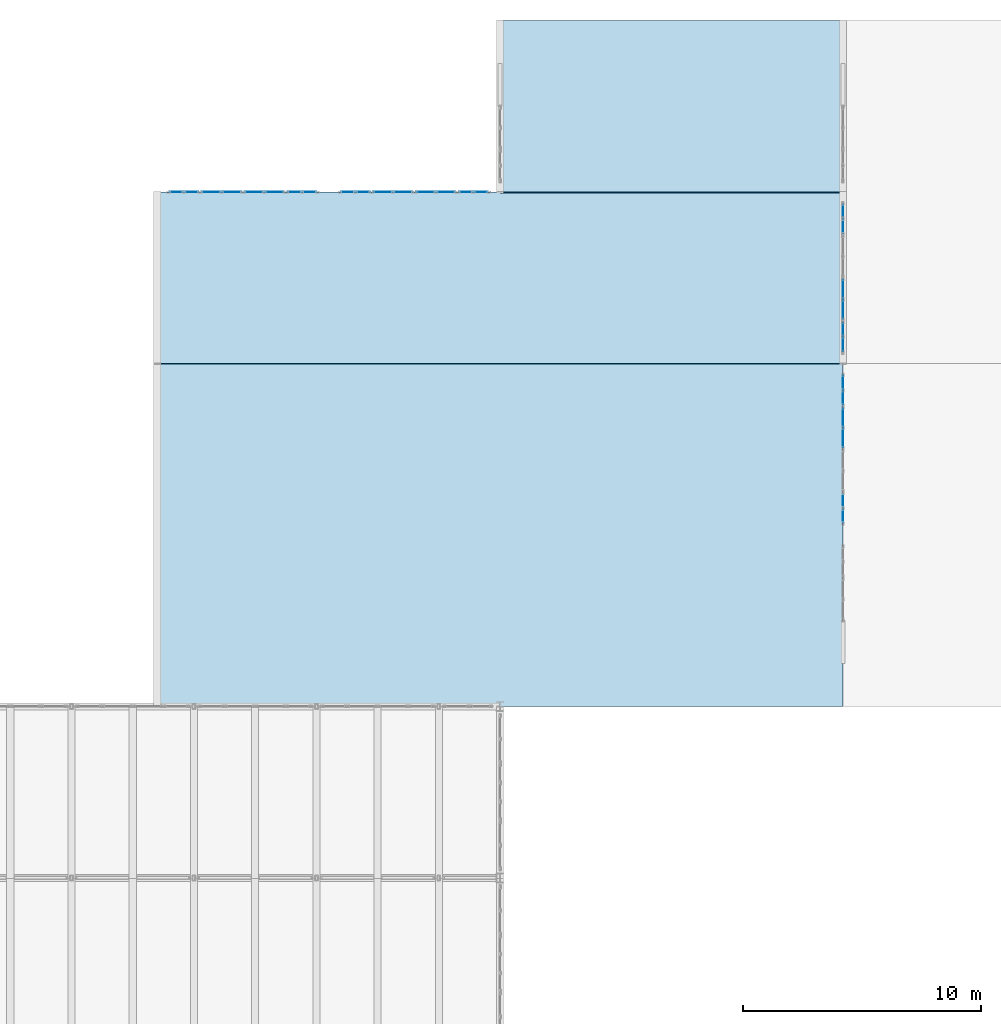
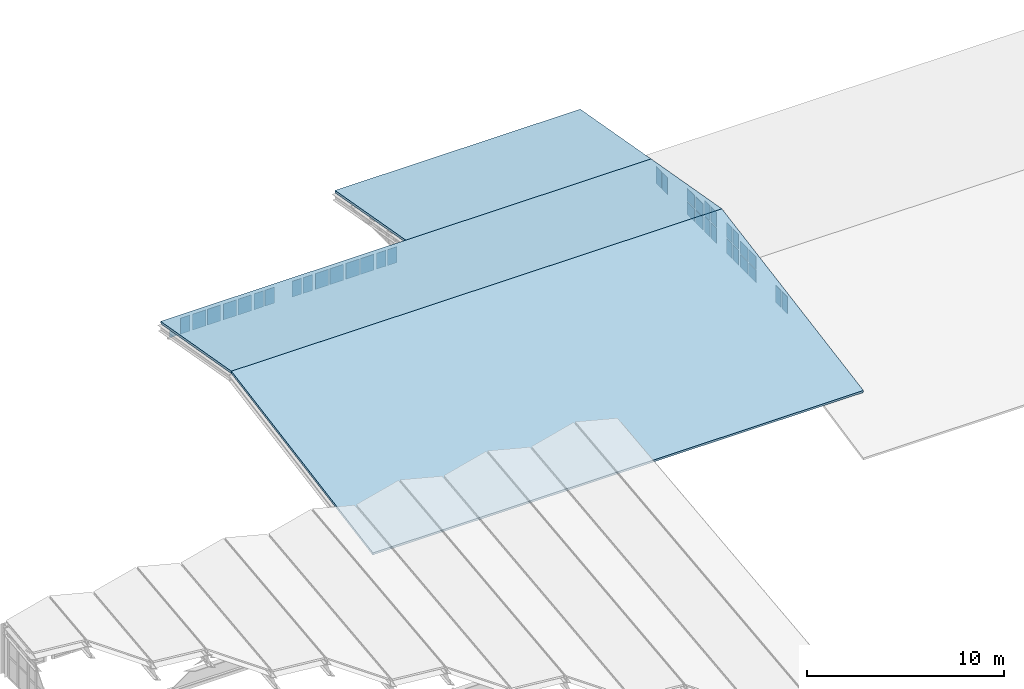
# One storey, part 30 of 39: 36 plates, 3 slabs, 15 elements without a shape of their own.
"""IFC4 building model written with IfcOpenShell, lengths in metres."""

import ifcopenshell
import ifcopenshell.guid

model = None  # the IFC model being written
_history = None  # IfcOwnerHistory: only IFC2X3 demands one
_inside = {}  # id of a spatial element -> (the spatial element, [elements in it])
_under = {}  # id of a project, library or spatial element -> (it, [spatial elements below it])
_declared = {}  # id of a project -> (the project, [libraries it declares])
_typed = {}  # id of a type object -> (the type object, [elements of that type])
_made_of = {}  # id of a material, layer set ... -> (it, [elements and type objects made of it])


def new_model(schema):
    """Start an empty IFC model of exactly this schema.

    Asked for "IFC4X3", IfcOpenShell would pick the latest addendum, in which some entities
    have other attributes; the version numbers below select the first issue.
    IFC2X3 requires an IfcOwnerHistory on every rooted entity: one is made here for all.
    """
    global model, _history
    if schema == "IFC4X3":
        model = ifcopenshell.file(schema_version=(4, 3, 0, 0))
    else:
        model = ifcopenshell.file(schema=schema)
    _inside.clear()
    _under.clear()
    _declared.clear()
    _typed.clear()
    _made_of.clear()
    _history = None
    if model.schema == "IFC2X3":
        org = make("IfcOrganization", Name="unknown")
        user = make(
            "IfcPersonAndOrganization",
            ThePerson=make("IfcPerson", FamilyName="unknown"),
            TheOrganization=org,
        )
        app = make(
            "IfcApplication",
            ApplicationDeveloper=org,
            Version="unknown",
            ApplicationFullName="unknown",
            ApplicationIdentifier="unknown",
        )
        _history = make(
            "IfcOwnerHistory",
            OwningUser=user,
            OwningApplication=app,
            ChangeAction="ADDED",
            CreationDate=0,
        )
    return model


def make(cls, **values):
    """One entity of the class cls with the attributes given. An attribute that is None is left unset."""
    return model.create_entity(
        cls, **{name: value for name, value in values.items() if value is not None}
    )


def rooted(cls, **values):
    """An entity with a GlobalId (a new one), such as an element, a storey or a relation."""
    return make(cls, GlobalId=ifcopenshell.guid.new(), OwnerHistory=_history, **values)


def si_unit(unit_type, name, prefix=None):
    """IfcSIUnit, for example si_unit("LENGTHUNIT", "METRE", prefix="MILLI")."""
    return make("IfcSIUnit", UnitType=unit_type, Prefix=prefix, Name=name)


def assignment(units):
    """IfcUnitAssignment: the units of a project."""
    return None if units is None else make("IfcUnitAssignment", Units=units)


def point(xyz):
    """IfcCartesianPoint."""
    return None if xyz is None else make("IfcCartesianPoint", Coordinates=xyz)


def direction(xyz):
    """IfcDirection."""
    return None if xyz is None else make("IfcDirection", DirectionRatios=xyz)


def frame(location, z_axis=None, x_axis=None):
    """IfcAxis2Placement3D, a coordinate frame: its origin and axes. An axis left out is left unset."""
    return make(
        "IfcAxis2Placement3D",
        Location=point(location),
        Axis=direction(z_axis),
        RefDirection=direction(x_axis),
    )


def frame_2d(location, x_axis=None):
    """IfcAxis2Placement2D, a coordinate frame in the plane: its origin and x axis."""
    return make(
        "IfcAxis2Placement2D", Location=point(location), RefDirection=direction(x_axis)
    )


def origin():
    """The frame at (0, 0, 0) with its axes left unset."""
    return frame((0.0, 0.0, 0.0))


def origin_2d():
    """The frame at (0, 0) in the plane with its x axis left unset."""
    return frame_2d((0.0, 0.0))


def place(relative_to, where):
    """IfcLocalPlacement: puts the frame where relative to a parent placement (None: the world)."""
    return make(
        "IfcLocalPlacement", PlacementRelTo=relative_to, RelativePlacement=where
    )


def context(
    kind, dimensions, precision=None, world=None, true_north=None, identifier=None
):
    """IfcGeometricRepresentationContext, for example the 3D "Model" context."""
    return make(
        "IfcGeometricRepresentationContext",
        ContextIdentifier=identifier,
        ContextType=kind,
        CoordinateSpaceDimension=dimensions,
        Precision=precision,
        WorldCoordinateSystem=world,
        TrueNorth=true_north,
    )


def subcontext(parent, identifier, kind, view, scale=None):
    """IfcGeometricRepresentationSubContext, for example "Body" below "Model"."""
    return make(
        "IfcGeometricRepresentationSubContext",
        ContextIdentifier=identifier,
        ContextType=kind,
        ParentContext=parent,
        TargetScale=scale,
        TargetView=view,
    )


def project(units=None, contexts=None):
    """IfcProject with its units and contexts."""
    return rooted(
        "IfcProject",
        Name="project",
        RepresentationContexts=contexts,
        UnitsInContext=assignment(units),
    )


def spatial(cls, under=None, at=None, **own):
    """A site, building, storey or space (cls), placed at a placement, below another one or the project."""
    s = rooted(cls, ObjectPlacement=at, **own)
    if under is not None:
        _under.setdefault(under.id(), (under, []))[1].append(s)
    return s


def polyline(points):
    """IfcPolyline through the points."""
    return make("IfcPolyline", Points=[point(p) for p in points])


def profile(cls, at=None, kind="AREA", **sizes):
    """A parametric profile (cls). Its sizes go by their IFC names, for example OverallWidth=200.0."""
    return make(cls, ProfileType=kind, Position=at, **sizes)


def rectangle(**sizes):
    """IfcRectangleProfileDef."""
    return profile("IfcRectangleProfileDef", **sizes)


def outline(outer, holes=None, kind="AREA"):
    """IfcArbitraryClosedProfileDef: a profile drawn as a closed curve; with holes, ...WithVoids."""
    if holes is None:
        return make("IfcArbitraryClosedProfileDef", ProfileType=kind, OuterCurve=outer)
    return make(
        "IfcArbitraryProfileDefWithVoids",
        ProfileType=kind,
        OuterCurve=outer,
        InnerCurves=holes,
    )


def extrude(swept, where, along, depth):
    """IfcExtrudedAreaSolid: the profile swept, set in the frame where, extruded along a direction by depth."""
    return make(
        "IfcExtrudedAreaSolid",
        SweptArea=swept,
        Position=where,
        ExtrudedDirection=direction(along),
        Depth=depth,
    )


def shape(context_of_items, identifier, shape_type, items):
    """IfcShapeRepresentation: the items that make up one representation, for example the "Body"."""
    return make(
        "IfcShapeRepresentation",
        ContextOfItems=context_of_items,
        RepresentationIdentifier=identifier,
        RepresentationType=shape_type,
        Items=items,
    )


def material(Name=None, Category=None):
    """IfcMaterial."""
    return make("IfcMaterial", Name=Name, Category=Category)


def layer(
    of_material, thickness, ventilated=None, Name=None, Category=None, Priority=None
):
    """IfcMaterialLayer: one layer of a wall or slab, of a material (None: an air gap)."""
    return make(
        "IfcMaterialLayer",
        Material=of_material,
        LayerThickness=thickness,
        IsVentilated=ventilated,
        Name=Name,
        Category=Category,
        Priority=Priority,
    )


def layer_set(layers, Name=None):
    """IfcMaterialLayerSet."""
    return make("IfcMaterialLayerSet", MaterialLayers=layers, LayerSetName=Name)


def made_of(thing, what):
    """Note that an element or type object is made of a material, layer set ...; save() writes the relation."""
    if what is not None:
        _made_of.setdefault(what.id(), (what, []))[1].append(thing)
    return thing


def type_object(cls, material=None, **own):
    """A type object (cls), such as IfcWallType, which elements share."""
    return made_of(rooted(cls, **own), material)


def element(
    cls,
    number,
    at=None,
    inside=None,
    cuts=None,
    type_object=None,
    material=None,
    context=None,
    identifier="Body",
    shape_type=None,
    held_by="IfcProductDefinitionShape",
    body=None,
    shapes=None,
    **own,
):
    """One element of the class cls, such as IfcWall. Its Tag is "e" and its number.

    at: its placement. inside: the storey or other place that contains it. cuts: it is an
    opening in that element (IfcRelVoidsElement). A single representation is given by context,
    identifier, shape_type and body (its items); several are given by shapes. held_by: the class
    of the entity that holds the representations. save() writes the other relations.
    """
    e = rooted(cls, Tag="e%d" % number, ObjectPlacement=at, **own)
    if body is not None:
        shapes = [shape(context, identifier, shape_type, body)]
    if shapes is not None:
        e.Representation = make(held_by, Representations=shapes)
    if inside is not None:
        _inside.setdefault(inside.id(), (inside, []))[1].append(e)
    if cuts is not None:
        rooted(
            "IfcRelVoidsElement", RelatingBuildingElement=cuts, RelatedOpeningElement=e
        )
    if type_object is not None:
        _typed.setdefault(type_object.id(), (type_object, []))[1].append(e)
    return made_of(e, material)


def aggregate(whole, parts):
    """IfcRelAggregates: a whole, such as a stair, and the parts it consists of."""
    return rooted("IfcRelAggregates", RelatingObject=whole, RelatedObjects=parts)


def save(model, path):
    """Write the relations noted so far, then the file.

    IfcRelAggregates (storeys below a building ...), IfcRelContainedInSpatialStructure (elements
    in a storey), IfcRelDefinesByType, IfcRelAssociatesMaterial and IfcRelDeclares: one each for
    every whole, place, type object, material and project.
    """
    for whole, parts in _under.values():
        aggregate(whole, parts)
    for where, things in _inside.values():
        rooted(
            "IfcRelContainedInSpatialStructure",
            RelatedElements=things,
            RelatingStructure=where,
        )
    for kind, things in _typed.values():
        rooted("IfcRelDefinesByType", RelatedObjects=things, RelatingType=kind)
    for what, things in _made_of.values():
        rooted("IfcRelAssociatesMaterial", RelatedObjects=things, RelatingMaterial=what)
    for by, libraries in _declared.values():
        rooted("IfcRelDeclares", RelatingContext=by, RelatedDefinitions=libraries)
    model.write(path)


model = new_model("IFC4")

# Units and contexts
model_context = context("Model", 3, precision=1e-05, world=origin(), true_north=direction((0.0, 1.0)))
body_context = subcontext(model_context, "Body", "Model", "MODEL_VIEW")
ifc_project = project(units=[si_unit("LENGTHUNIT", "METRE"), si_unit("AREAUNIT", "SQUARE_METRE"), si_unit("VOLUMEUNIT", "CUBIC_METRE"), si_unit("PLANEANGLEUNIT", "RADIAN"), si_unit("MASSUNIT", "GRAM", prefix="KILO"), si_unit("THERMODYNAMICTEMPERATUREUNIT", "KELVIN"), si_unit("POWERUNIT", "WATT")], contexts=[model_context])

# Site, building, storey
site_placement = place(None, origin())
site = spatial("IfcSite", under=ifc_project, at=site_placement, CompositionType="ELEMENT")
building_placement = place(site_placement, origin())
building = spatial("IfcBuilding", under=site, at=building_placement, Name="Kaldorven Railside Theatre", CompositionType="ELEMENT")
storey_placement = place(building_placement, frame((0.0, 0.0, 27.300048828125)))
storey = spatial("IfcBuildingStorey", under=building, at=storey_placement, Name="ROOF", CompositionType="ELEMENT", Elevation=27.300048828125)

# Curtain wall, plates
ifc_material_1 = material(Name="Low-E laminated solar-control glass", Category="glass")
ifc_layer_1 = layer(ifc_material_1, 0.159912109375, Name="Low-E laminated solar-control glass")
ifc_layer_set_1 = layer_set([ifc_layer_1], Name="Low-E laminated solar-control glass")
curtain_wall_type_1 = type_object("IfcCurtainWallType", Name="CWT-61", PredefinedType="USERDEFINED", material=ifc_layer_set_1)
curtain_wall_1_placement = place(storey_placement, origin())
curtain_wall_1 = element("IfcCurtainWall", 1, at=curtain_wall_1_placement, inside=storey, type_object=curtain_wall_type_1, Name="Upper Plant East Gable Clerestory CWG-188", ObjectType="FLUTED GLAZING", PredefinedType="USERDEFINED")
ifc_layer_2 = layer(ifc_material_1, 0.028076171875, Name="Low-E laminated solar-control glass")
ifc_layer_set_2 = layer_set([ifc_layer_2], Name="Low-E laminated solar-control glass")
plate_type = type_object("IfcPlateType", Name="CWP-GLZ28", PredefinedType="CURTAIN_PANEL", material=ifc_layer_set_2)
plate_1_placement = place(storey_placement, frame((137.60009765625, 120.800048828125, 0.079833984375), z_axis=(0.0, 0.0, 1.0), x_axis=(0.0, 1.0, 0.0)))
plate_1 = element("IfcPlate", 2, at=plate_1_placement, type_object=plate_type, Name="CWG-188 panel 1.1", PredefinedType="CURTAIN_PANEL", context=body_context, shape_type="SweptSolid", body=[
    extrude(rectangle(XDim=0.56005859375, YDim=0.028076171875, at=origin_2d()), origin(), (0.0, 0.0, 1.0), 1.06005859375),
])
plate_2_placement = place(storey_placement, frame((137.60009765625, 121.43994140625, 0.079833984375), z_axis=(0.0, 0.0, 1.0), x_axis=(0.0, 1.0, 0.0)))
plate_2 = element("IfcPlate", 3, at=plate_2_placement, type_object=plate_type, Name="CWG-188 panel 2.1", PredefinedType="CURTAIN_PANEL", context=body_context, shape_type="SweptSolid", body=[
    extrude(rectangle(XDim=0.56005859375, YDim=0.028076171875, at=origin_2d()), origin(), (0.0, 0.0, 1.0), 1.06005859375),
])
aggregate(curtain_wall_1, [plate_1, plate_2])

ifc_layer_3 = layer(ifc_material_1, 0.159912109375, Name="Low-E laminated solar-control glass")
ifc_layer_set_3 = layer_set([ifc_layer_3], Name="Low-E laminated solar-control glass")
curtain_wall_type_2 = type_object("IfcCurtainWallType", Name="CWT-80", PredefinedType="USERDEFINED", material=ifc_layer_set_3)
curtain_wall_2_placement = place(storey_placement, origin())
curtain_wall_2 = element("IfcCurtainWall", 4, at=curtain_wall_2_placement, inside=storey, type_object=curtain_wall_type_2, Name="Upper Plant East Gable Clerestory CWG-190", ObjectType="FLUTED GLAZING", PredefinedType="USERDEFINED")
plate_3_placement = place(storey_placement, frame((137.60009765625, 124.070068359375, 0.080078125), z_axis=(0.0, 0.0, 1.0), x_axis=(0.0, 1.0, 0.0)))
plate_3 = element("IfcPlate", 5, at=plate_3_placement, type_object=plate_type, Name="CWG-190 panel 1.1", PredefinedType="CURTAIN_PANEL", context=body_context, shape_type="SweptSolid", body=[
    extrude(rectangle(XDim=0.780029296875, YDim=0.028076171875, at=origin_2d()), origin(), (0.0, 0.0, 1.0), 0.780029296875),
])
plate_4_placement = place(storey_placement, frame((137.60009765625, 124.070068359375, 0.919921875), z_axis=(0.0, 0.0, 1.0), x_axis=(0.0, 1.0, 0.0)))
plate_4 = element("IfcPlate", 6, at=plate_4_placement, type_object=plate_type, Name="CWG-190 panel 1.2", PredefinedType="CURTAIN_PANEL", context=body_context, shape_type="SweptSolid", body=[
    extrude(rectangle(XDim=0.780029296875, YDim=0.028076171875, at=origin_2d()), origin(), (0.0, 0.0, 1.0), 0.780029296875),
])
plate_5_placement = place(storey_placement, frame((137.60009765625, 124.929931640625, 0.080078125), z_axis=(0.0, 0.0, 1.0), x_axis=(0.0, 1.0, 0.0)))
plate_5 = element("IfcPlate", 7, at=plate_5_placement, type_object=plate_type, Name="CWG-190 panel 2.1", PredefinedType="CURTAIN_PANEL", context=body_context, shape_type="SweptSolid", body=[
    extrude(rectangle(XDim=0.780029296875, YDim=0.028076171875, at=origin_2d()), origin(), (0.0, 0.0, 1.0), 0.780029296875),
])
plate_6_placement = place(storey_placement, frame((137.60009765625, 124.929931640625, 0.919921875), z_axis=(0.0, 0.0, 1.0), x_axis=(0.0, 1.0, 0.0)))
plate_6 = element("IfcPlate", 8, at=plate_6_placement, type_object=plate_type, Name="CWG-190 panel 2.2", PredefinedType="CURTAIN_PANEL", context=body_context, shape_type="SweptSolid", body=[
    extrude(rectangle(XDim=0.780029296875, YDim=0.028076171875, at=origin_2d()), origin(), (0.0, 0.0, 1.0), 0.780029296875),
])
aggregate(curtain_wall_2, [plate_3, plate_4, plate_5, plate_6])

ifc_layer_4 = layer(ifc_material_1, 0.159912109375, Name="Low-E laminated solar-control glass")
ifc_layer_set_4 = layer_set([ifc_layer_4], Name="Low-E laminated solar-control glass")
curtain_wall_type_3 = type_object("IfcCurtainWallType", Name="CWT-81", PredefinedType="USERDEFINED", material=ifc_layer_set_4)
curtain_wall_3_placement = place(storey_placement, origin())
curtain_wall_3 = element("IfcCurtainWall", 9, at=curtain_wall_3_placement, inside=storey, type_object=curtain_wall_type_3, Name="Upper Plant East Gable Clerestory CWG-191", ObjectType="FLUTED GLAZING", PredefinedType="USERDEFINED")
plate_7_placement = place(storey_placement, frame((137.60009765625, 125.760009765625, 0.080078125), z_axis=(0.0, 0.0, 1.0), x_axis=(0.0, 1.0, 0.0)))
plate_7 = element("IfcPlate", 10, at=plate_7_placement, type_object=plate_type, Name="CWG-191 panel 1.1", PredefinedType="CURTAIN_PANEL", context=body_context, shape_type="SweptSolid", body=[
    extrude(rectangle(XDim=0.56005859375, YDim=0.028076171875, at=origin_2d()), origin(), (0.0, 0.0, 1.0), 0.93994140625),
])
plate_8_placement = place(storey_placement, frame((137.60009765625, 125.760009765625, 1.080078125), z_axis=(0.0, 0.0, 1.0), x_axis=(0.0, 1.0, 0.0)))
plate_8 = element("IfcPlate", 11, at=plate_8_placement, type_object=plate_type, Name="CWG-191 panel 1.2", PredefinedType="CURTAIN_PANEL", context=body_context, shape_type="SweptSolid", body=[
    extrude(rectangle(XDim=0.56005859375, YDim=0.028076171875, at=origin_2d()), origin(), (0.0, 0.0, 1.0), 0.93994140625),
])
plate_9_placement = place(storey_placement, frame((137.60009765625, 126.39990234375, 0.080078125), z_axis=(0.0, 0.0, 1.0), x_axis=(0.0, 1.0, 0.0)))
plate_9 = element("IfcPlate", 12, at=plate_9_placement, type_object=plate_type, Name="CWG-191 panel 2.1", PredefinedType="CURTAIN_PANEL", context=body_context, shape_type="SweptSolid", body=[
    extrude(rectangle(XDim=0.56005859375, YDim=0.028076171875, at=origin_2d()), origin(), (0.0, 0.0, 1.0), 0.93994140625),
])
plate_10_placement = place(storey_placement, frame((137.60009765625, 126.39990234375, 1.080078125), z_axis=(0.0, 0.0, 1.0), x_axis=(0.0, 1.0, 0.0)))
plate_10 = element("IfcPlate", 13, at=plate_10_placement, type_object=plate_type, Name="CWG-191 panel 2.2", PredefinedType="CURTAIN_PANEL", context=body_context, shape_type="SweptSolid", body=[
    extrude(rectangle(XDim=0.56005859375, YDim=0.028076171875, at=origin_2d()), origin(), (0.0, 0.0, 1.0), 0.93994140625),
])
aggregate(curtain_wall_3, [plate_7, plate_8, plate_9, plate_10])

curtain_wall_4_placement = place(storey_placement, origin())
curtain_wall_4 = element("IfcCurtainWall", 14, at=curtain_wall_4_placement, inside=storey, type_object=curtain_wall_type_3, Name="Upper Plant East Gable Clerestory CWG-192", ObjectType="FLUTED GLAZING", PredefinedType="USERDEFINED")
plate_11_placement = place(storey_placement, frame((137.60009765625, 128.0, 0.080078125), z_axis=(0.0, 0.0, 1.0), x_axis=(0.0, 1.0, 0.0)))
plate_11 = element("IfcPlate", 15, at=plate_11_placement, type_object=plate_type, Name="CWG-192 panel 1.1", PredefinedType="CURTAIN_PANEL", context=body_context, shape_type="SweptSolid", body=[
    extrude(rectangle(XDim=0.56005859375, YDim=0.028076171875, at=origin_2d()), origin(), (0.0, 0.0, 1.0), 0.93994140625),
])
plate_12_placement = place(storey_placement, frame((137.60009765625, 128.0, 1.080078125), z_axis=(0.0, 0.0, 1.0), x_axis=(0.0, 1.0, 0.0)))
plate_12 = element("IfcPlate", 16, at=plate_12_placement, type_object=plate_type, Name="CWG-192 panel 1.2", PredefinedType="CURTAIN_PANEL", context=body_context, shape_type="SweptSolid", body=[
    extrude(rectangle(XDim=0.56005859375, YDim=0.028076171875, at=origin_2d()), origin(), (0.0, 0.0, 1.0), 0.93994140625),
])
plate_13_placement = place(storey_placement, frame((137.60009765625, 128.639892578125, 0.080078125), z_axis=(0.0, 0.0, 1.0), x_axis=(0.0, 1.0, 0.0)))
plate_13 = element("IfcPlate", 17, at=plate_13_placement, type_object=plate_type, Name="CWG-192 panel 2.1", PredefinedType="CURTAIN_PANEL", context=body_context, shape_type="SweptSolid", body=[
    extrude(rectangle(XDim=0.56005859375, YDim=0.028076171875, at=origin_2d()), origin(), (0.0, 0.0, 1.0), 0.93994140625),
])
plate_14_placement = place(storey_placement, frame((137.60009765625, 128.639892578125, 1.080078125), z_axis=(0.0, 0.0, 1.0), x_axis=(0.0, 1.0, 0.0)))
plate_14 = element("IfcPlate", 18, at=plate_14_placement, type_object=plate_type, Name="CWG-192 panel 2.2", PredefinedType="CURTAIN_PANEL", context=body_context, shape_type="SweptSolid", body=[
    extrude(rectangle(XDim=0.56005859375, YDim=0.028076171875, at=origin_2d()), origin(), (0.0, 0.0, 1.0), 0.93994140625),
])
aggregate(curtain_wall_4, [plate_11, plate_12, plate_13, plate_14])

curtain_wall_5_placement = place(storey_placement, origin())
curtain_wall_5 = element("IfcCurtainWall", 19, at=curtain_wall_5_placement, inside=storey, type_object=curtain_wall_type_2, Name="Upper Plant East Gable Clerestory CWG-193", ObjectType="FLUTED GLAZING", PredefinedType="USERDEFINED")
plate_15_placement = place(storey_placement, frame((137.60009765625, 129.469970703125, 0.080078125), z_axis=(0.0, 0.0, 1.0), x_axis=(0.0, 1.0, 0.0)))
plate_15 = element("IfcPlate", 20, at=plate_15_placement, type_object=plate_type, Name="CWG-193 panel 1.1", PredefinedType="CURTAIN_PANEL", context=body_context, shape_type="SweptSolid", body=[
    extrude(rectangle(XDim=0.780029296875, YDim=0.028076171875, at=origin_2d()), origin(), (0.0, 0.0, 1.0), 0.780029296875),
])
plate_16_placement = place(storey_placement, frame((137.60009765625, 129.469970703125, 0.919921875), z_axis=(0.0, 0.0, 1.0), x_axis=(0.0, 1.0, 0.0)))
plate_16 = element("IfcPlate", 21, at=plate_16_placement, type_object=plate_type, Name="CWG-193 panel 1.2", PredefinedType="CURTAIN_PANEL", context=body_context, shape_type="SweptSolid", body=[
    extrude(rectangle(XDim=0.780029296875, YDim=0.028076171875, at=origin_2d()), origin(), (0.0, 0.0, 1.0), 0.780029296875),
])
plate_17_placement = place(storey_placement, frame((137.60009765625, 130.330078125, 0.080078125), z_axis=(0.0, 0.0, 1.0), x_axis=(0.0, 1.0, 0.0)))
plate_17 = element("IfcPlate", 22, at=plate_17_placement, type_object=plate_type, Name="CWG-193 panel 2.1", PredefinedType="CURTAIN_PANEL", context=body_context, shape_type="SweptSolid", body=[
    extrude(rectangle(XDim=0.780029296875, YDim=0.028076171875, at=origin_2d()), origin(), (0.0, 0.0, 1.0), 0.780029296875),
])
plate_18_placement = place(storey_placement, frame((137.60009765625, 130.330078125, 0.919921875), z_axis=(0.0, 0.0, 1.0), x_axis=(0.0, 1.0, 0.0)))
plate_18 = element("IfcPlate", 23, at=plate_18_placement, type_object=plate_type, Name="CWG-193 panel 2.2", PredefinedType="CURTAIN_PANEL", context=body_context, shape_type="SweptSolid", body=[
    extrude(rectangle(XDim=0.780029296875, YDim=0.028076171875, at=origin_2d()), origin(), (0.0, 0.0, 1.0), 0.780029296875),
])
aggregate(curtain_wall_5, [plate_15, plate_16, plate_17, plate_18])

curtain_wall_6_placement = place(storey_placement, origin())
curtain_wall_6 = element("IfcCurtainWall", 24, at=curtain_wall_6_placement, inside=storey, type_object=curtain_wall_type_1, Name="Upper Plant East Gable Clerestory CWG-195", ObjectType="FLUTED GLAZING", PredefinedType="USERDEFINED")
plate_19_placement = place(storey_placement, frame((137.60009765625, 132.9599609375, 0.079833984375), z_axis=(0.0, 0.0, 1.0), x_axis=(0.0, 1.0, 0.0)))
plate_19 = element("IfcPlate", 25, at=plate_19_placement, type_object=plate_type, Name="CWG-195 panel 1.1", PredefinedType="CURTAIN_PANEL", context=body_context, shape_type="SweptSolid", body=[
    extrude(rectangle(XDim=0.56005859375, YDim=0.028076171875, at=origin_2d()), origin(), (0.0, 0.0, 1.0), 1.06005859375),
])
plate_20_placement = place(storey_placement, frame((137.60009765625, 133.60009765625, 0.079833984375), z_axis=(0.0, 0.0, 1.0), x_axis=(0.0, 1.0, 0.0)))
plate_20 = element("IfcPlate", 26, at=plate_20_placement, type_object=plate_type, Name="CWG-195 panel 2.1", PredefinedType="CURTAIN_PANEL", context=body_context, shape_type="SweptSolid", body=[
    extrude(rectangle(XDim=0.56005859375, YDim=0.028076171875, at=origin_2d()), origin(), (0.0, 0.0, 1.0), 1.06005859375),
])
aggregate(curtain_wall_6, [plate_19, plate_20])

ifc_layer_5 = layer(ifc_material_1, 0.159912109375, Name="Low-E laminated solar-control glass")
ifc_layer_set_5 = layer_set([ifc_layer_5], Name="Low-E laminated solar-control glass")
curtain_wall_type_4 = type_object("IfcCurtainWallType", Name="CWT-82", PredefinedType="USERDEFINED", material=ifc_layer_set_5)
curtain_wall_7_placement = place(storey_placement, origin())
curtain_wall_7 = element("IfcCurtainWall", 27, at=curtain_wall_7_placement, inside=storey, type_object=curtain_wall_type_4, Name="Backstage Link North Clerestory CWG-202", ObjectType="FLUTED GLAZING", PredefinedType="USERDEFINED")
plate_21_placement = place(storey_placement, frame((109.60009765625, 134.39990234375, 0.080078125), z_axis=(0.0, 0.0, 1.0), x_axis=(1.0, 0.0, 0.0)))
plate_21 = element("IfcPlate", 28, at=plate_21_placement, type_object=plate_type, Name="CWG-202 panel 1.1", PredefinedType="CURTAIN_PANEL", context=body_context, shape_type="SweptSolid", body=[
    extrude(rectangle(XDim=0.56005859375, YDim=0.028076171875, at=origin_2d()), origin(), (0.0, 0.0, 1.0), 0.989990234375),
])
plate_22_placement = place(storey_placement, frame((110.239990234375, 134.39990234375, 0.080078125), z_axis=(0.0, 0.0, 1.0), x_axis=(1.0, 0.0, 0.0)))
plate_22 = element("IfcPlate", 29, at=plate_22_placement, type_object=plate_type, Name="CWG-202 panel 2.1", PredefinedType="CURTAIN_PANEL", context=body_context, shape_type="SweptSolid", body=[
    extrude(rectangle(XDim=0.56005859375, YDim=0.028076171875, at=origin_2d()), origin(), (0.0, 0.0, 1.0), 0.989990234375),
])
aggregate(curtain_wall_7, [plate_21, plate_22])

ifc_layer_6 = layer(ifc_material_1, 0.159912109375, Name="Low-E laminated solar-control glass")
ifc_layer_set_6 = layer_set([ifc_layer_6], Name="Low-E laminated solar-control glass")
curtain_wall_type_5 = type_object("IfcCurtainWallType", Name="CWT-83", PredefinedType="USERDEFINED", material=ifc_layer_set_6)
curtain_wall_8_placement = place(storey_placement, origin())
curtain_wall_8 = element("IfcCurtainWall", 30, at=curtain_wall_8_placement, inside=storey, type_object=curtain_wall_type_5, Name="Backstage Link North Clerestory CWG-203", ObjectType="FLUTED GLAZING", PredefinedType="USERDEFINED")
plate_23_placement = place(storey_placement, frame((111.070068359375, 134.39990234375, 0.080078125), z_axis=(0.0, 0.0, 1.0), x_axis=(1.0, 0.0, 0.0)))
plate_23 = element("IfcPlate", 31, at=plate_23_placement, type_object=plate_type, Name="CWG-203 panel 1.1", PredefinedType="CURTAIN_PANEL", context=body_context, shape_type="SweptSolid", body=[
    extrude(rectangle(XDim=0.780029296875, YDim=0.028076171875, at=origin_2d()), origin(), (0.0, 0.0, 1.0), 0.989990234375),
])
plate_24_placement = place(storey_placement, frame((111.929931640625, 134.39990234375, 0.080078125), z_axis=(0.0, 0.0, 1.0), x_axis=(1.0, 0.0, 0.0)))
plate_24 = element("IfcPlate", 32, at=plate_24_placement, type_object=plate_type, Name="CWG-203 panel 2.1", PredefinedType="CURTAIN_PANEL", context=body_context, shape_type="SweptSolid", body=[
    extrude(rectangle(XDim=0.780029296875, YDim=0.028076171875, at=origin_2d()), origin(), (0.0, 0.0, 1.0), 0.989990234375),
])
aggregate(curtain_wall_8, [plate_23, plate_24])

curtain_wall_9_placement = place(storey_placement, origin())
curtain_wall_9 = element("IfcCurtainWall", 33, at=curtain_wall_9_placement, inside=storey, type_object=curtain_wall_type_5, Name="Backstage Link North Clerestory CWG-204", ObjectType="FLUTED GLAZING", PredefinedType="USERDEFINED")
plate_25_placement = place(storey_placement, frame((112.8701171875, 134.39990234375, 0.080078125), z_axis=(0.0, 0.0, 1.0), x_axis=(1.0, 0.0, 0.0)))
plate_25 = element("IfcPlate", 34, at=plate_25_placement, type_object=plate_type, Name="CWG-204 panel 1.1", PredefinedType="CURTAIN_PANEL", context=body_context, shape_type="SweptSolid", body=[
    extrude(rectangle(XDim=0.780029296875, YDim=0.028076171875, at=origin_2d()), origin(), (0.0, 0.0, 1.0), 0.989990234375),
])
plate_26_placement = place(storey_placement, frame((113.72998046875, 134.39990234375, 0.080078125), z_axis=(0.0, 0.0, 1.0), x_axis=(1.0, 0.0, 0.0)))
plate_26 = element("IfcPlate", 35, at=plate_26_placement, type_object=plate_type, Name="CWG-204 panel 2.1", PredefinedType="CURTAIN_PANEL", context=body_context, shape_type="SweptSolid", body=[
    extrude(rectangle(XDim=0.780029296875, YDim=0.028076171875, at=origin_2d()), origin(), (0.0, 0.0, 1.0), 0.989990234375),
])
aggregate(curtain_wall_9, [plate_25, plate_26])

curtain_wall_10_placement = place(storey_placement, origin())
curtain_wall_10 = element("IfcCurtainWall", 36, at=curtain_wall_10_placement, inside=storey, type_object=curtain_wall_type_4, Name="Backstage Link North Clerestory CWG-205", ObjectType="FLUTED GLAZING", PredefinedType="USERDEFINED")
plate_27_placement = place(storey_placement, frame((114.56005859375, 134.39990234375, 0.080078125), z_axis=(0.0, 0.0, 1.0), x_axis=(1.0, 0.0, 0.0)))
plate_27 = element("IfcPlate", 37, at=plate_27_placement, type_object=plate_type, Name="CWG-205 panel 1.1", PredefinedType="CURTAIN_PANEL", context=body_context, shape_type="SweptSolid", body=[
    extrude(rectangle(XDim=0.56005859375, YDim=0.028076171875, at=origin_2d()), origin(), (0.0, 0.0, 1.0), 0.989990234375),
])
plate_28_placement = place(storey_placement, frame((115.199951171875, 134.39990234375, 0.080078125), z_axis=(0.0, 0.0, 1.0), x_axis=(1.0, 0.0, 0.0)))
plate_28 = element("IfcPlate", 38, at=plate_28_placement, type_object=plate_type, Name="CWG-205 panel 2.1", PredefinedType="CURTAIN_PANEL", context=body_context, shape_type="SweptSolid", body=[
    extrude(rectangle(XDim=0.56005859375, YDim=0.028076171875, at=origin_2d()), origin(), (0.0, 0.0, 1.0), 0.989990234375),
])
aggregate(curtain_wall_10, [plate_27, plate_28])

curtain_wall_11_placement = place(storey_placement, origin())
curtain_wall_11 = element("IfcCurtainWall", 39, at=curtain_wall_11_placement, inside=storey, type_object=curtain_wall_type_4, Name="Backstage Link North Clerestory CWG-206", ObjectType="FLUTED GLAZING", PredefinedType="USERDEFINED")
plate_29_placement = place(storey_placement, frame((116.800048828125, 134.39990234375, 0.080078125), z_axis=(0.0, 0.0, 1.0), x_axis=(1.0, 0.0, 0.0)))
plate_29 = element("IfcPlate", 40, at=plate_29_placement, type_object=plate_type, Name="CWG-206 panel 1.1", PredefinedType="CURTAIN_PANEL", context=body_context, shape_type="SweptSolid", body=[
    extrude(rectangle(XDim=0.56005859375, YDim=0.028076171875, at=origin_2d()), origin(), (0.0, 0.0, 1.0), 0.989990234375),
])
plate_30_placement = place(storey_placement, frame((117.43994140625, 134.39990234375, 0.080078125), z_axis=(0.0, 0.0, 1.0), x_axis=(1.0, 0.0, 0.0)))
plate_30 = element("IfcPlate", 41, at=plate_30_placement, type_object=plate_type, Name="CWG-206 panel 2.1", PredefinedType="CURTAIN_PANEL", context=body_context, shape_type="SweptSolid", body=[
    extrude(rectangle(XDim=0.56005859375, YDim=0.028076171875, at=origin_2d()), origin(), (0.0, 0.0, 1.0), 0.989990234375),
])
aggregate(curtain_wall_11, [plate_29, plate_30])

curtain_wall_12_placement = place(storey_placement, origin())
curtain_wall_12 = element("IfcCurtainWall", 42, at=curtain_wall_12_placement, inside=storey, type_object=curtain_wall_type_5, Name="Backstage Link North Clerestory CWG-207", ObjectType="FLUTED GLAZING", PredefinedType="USERDEFINED")
plate_31_placement = place(storey_placement, frame((118.27001953125, 134.39990234375, 0.080078125), z_axis=(0.0, 0.0, 1.0), x_axis=(1.0, 0.0, 0.0)))
plate_31 = element("IfcPlate", 43, at=plate_31_placement, type_object=plate_type, Name="CWG-207 panel 1.1", PredefinedType="CURTAIN_PANEL", context=body_context, shape_type="SweptSolid", body=[
    extrude(rectangle(XDim=0.780029296875, YDim=0.028076171875, at=origin_2d()), origin(), (0.0, 0.0, 1.0), 0.989990234375),
])
plate_32_placement = place(storey_placement, frame((119.1298828125, 134.39990234375, 0.080078125), z_axis=(0.0, 0.0, 1.0), x_axis=(1.0, 0.0, 0.0)))
plate_32 = element("IfcPlate", 44, at=plate_32_placement, type_object=plate_type, Name="CWG-207 panel 2.1", PredefinedType="CURTAIN_PANEL", context=body_context, shape_type="SweptSolid", body=[
    extrude(rectangle(XDim=0.780029296875, YDim=0.028076171875, at=origin_2d()), origin(), (0.0, 0.0, 1.0), 0.989990234375),
])
aggregate(curtain_wall_12, [plate_31, plate_32])

curtain_wall_13_placement = place(storey_placement, origin())
curtain_wall_13 = element("IfcCurtainWall", 45, at=curtain_wall_13_placement, inside=storey, type_object=curtain_wall_type_5, Name="Backstage Link North Clerestory CWG-208", ObjectType="FLUTED GLAZING", PredefinedType="USERDEFINED")
plate_33_placement = place(storey_placement, frame((120.070068359375, 134.39990234375, 0.080078125), z_axis=(0.0, 0.0, 1.0), x_axis=(1.0, 0.0, 0.0)))
plate_33 = element("IfcPlate", 46, at=plate_33_placement, type_object=plate_type, Name="CWG-208 panel 1.1", PredefinedType="CURTAIN_PANEL", context=body_context, shape_type="SweptSolid", body=[
    extrude(rectangle(XDim=0.780029296875, YDim=0.028076171875, at=origin_2d()), origin(), (0.0, 0.0, 1.0), 0.989990234375),
])
plate_34_placement = place(storey_placement, frame((120.929931640625, 134.39990234375, 0.080078125), z_axis=(0.0, 0.0, 1.0), x_axis=(1.0, 0.0, 0.0)))
plate_34 = element("IfcPlate", 47, at=plate_34_placement, type_object=plate_type, Name="CWG-208 panel 2.1", PredefinedType="CURTAIN_PANEL", context=body_context, shape_type="SweptSolid", body=[
    extrude(rectangle(XDim=0.780029296875, YDim=0.028076171875, at=origin_2d()), origin(), (0.0, 0.0, 1.0), 0.989990234375),
])
aggregate(curtain_wall_13, [plate_33, plate_34])

curtain_wall_14_placement = place(storey_placement, origin())
curtain_wall_14 = element("IfcCurtainWall", 48, at=curtain_wall_14_placement, inside=storey, type_object=curtain_wall_type_4, Name="Backstage Link North Clerestory CWG-209", ObjectType="FLUTED GLAZING", PredefinedType="USERDEFINED")
plate_35_placement = place(storey_placement, frame((121.760009765625, 134.39990234375, 0.080078125), z_axis=(0.0, 0.0, 1.0), x_axis=(1.0, 0.0, 0.0)))
plate_35 = element("IfcPlate", 49, at=plate_35_placement, type_object=plate_type, Name="CWG-209 panel 1.1", PredefinedType="CURTAIN_PANEL", context=body_context, shape_type="SweptSolid", body=[
    extrude(rectangle(XDim=0.56005859375, YDim=0.028076171875, at=origin_2d()), origin(), (0.0, 0.0, 1.0), 0.989990234375),
])
plate_36_placement = place(storey_placement, frame((122.39990234375, 134.39990234375, 0.080078125), z_axis=(0.0, 0.0, 1.0), x_axis=(1.0, 0.0, 0.0)))
plate_36 = element("IfcPlate", 50, at=plate_36_placement, type_object=plate_type, Name="CWG-209 panel 2.1", PredefinedType="CURTAIN_PANEL", context=body_context, shape_type="SweptSolid", body=[
    extrude(rectangle(XDim=0.56005859375, YDim=0.028076171875, at=origin_2d()), origin(), (0.0, 0.0, 1.0), 0.989990234375),
])
aggregate(curtain_wall_14, [plate_35, plate_36])

# Roof, slabs
ifc_material_2 = material(Name="Concrete C35/45", Category="concrete")
roof_type = type_object("IfcRoofType", Name="RF-SHED-BOH2", PredefinedType="SHED_ROOF", material=ifc_material_2)
roof_placement = place(storey_placement, origin())
roof = element("IfcRoof", 51, at=roof_placement, inside=storey, type_object=roof_type, Name="Rehearsal and Core Upper Monsoon Roof", PredefinedType="SHED_ROOF")
ifc_layer_7 = layer(ifc_material_2, 0.14990234375, Name="Concrete C35/45")
ifc_layer_set_7 = layer_set([ifc_layer_7], Name="Concrete C35/45")
slab_type = type_object("IfcSlabType", Name="SLB-RSL-150", PredefinedType="ROOF", material=ifc_layer_set_7)
slab_1_placement = place(storey_placement, frame((108.800048828125, 112.800048828125, 0.0), z_axis=(0.0, -0.174374822904, 0.984679349401), x_axis=(1.0, 0.0, 0.0)))
slab_1 = element("IfcSlab", 52, at=slab_1_placement, type_object=slab_type, Name="Backstage Monsoon Roof V6-RF-TOP-S", PredefinedType="ROOF", context=body_context, shape_type="SweptSolid", body=[
    extrude(outline(polyline([(0.0, 0.0), (28.800048828125, 0.0), (28.800048828125, 14.623950784085618), (0.0, 14.623950784085618), (0.0, 0.0)])), origin(), (0.0, 0.0, -1.0), 0.14990234375),
])
slab_2_placement = place(storey_placement, frame((108.800048828125, 127.199951171875, 2.550048828125), z_axis=(0.0, 0.173711039313, 0.984796666739), x_axis=(1.0, 0.0, 0.0)))
slab_2 = element("IfcSlab", 53, at=slab_2_placement, type_object=slab_type, Name="Backstage Monsoon Roof V6-RF-TOP", PredefinedType="ROOF", context=body_context, shape_type="SweptSolid", body=[
    extrude(outline(polyline([(0.0, 0.0), (28.800048828125, 0.0), (28.800048828125, 7.311104327469322), (0.0, 7.311104327469322), (0.0, 0.0)])), origin(), (0.0, 0.0, -1.0), 0.14990234375),
])
slab_3_placement = place(storey_placement, frame((123.199951171875, 134.39990234375, 1.280029296875), z_axis=(0.0, 0.175032615578, 0.984562635633), x_axis=(1.0, 0.0, 0.0)))
slab_3 = element("IfcSlab", 54, at=slab_3_placement, type_object=slab_type, Name="Backstage Monsoon Roof V6-RF-TOP-N", PredefinedType="ROOF", context=body_context, shape_type="SweptSolid", body=[
    extrude(outline(polyline([(0.0, 0.0), (14.400146484375, 0.0), (14.400146484375, 7.3130901497934016), (0.0, 7.3130901497934016), (0.0, 0.0)])), origin(), (0.0, 0.0, -1.0), 0.14990234375),
])
aggregate(roof, [slab_1, slab_2, slab_3])

save(model, "model.ifc")
